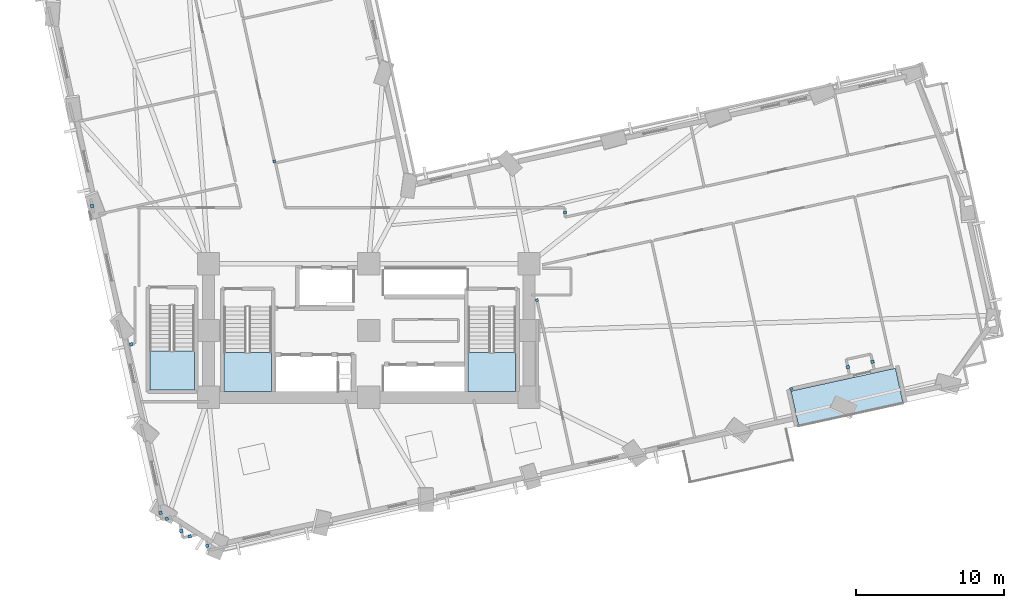
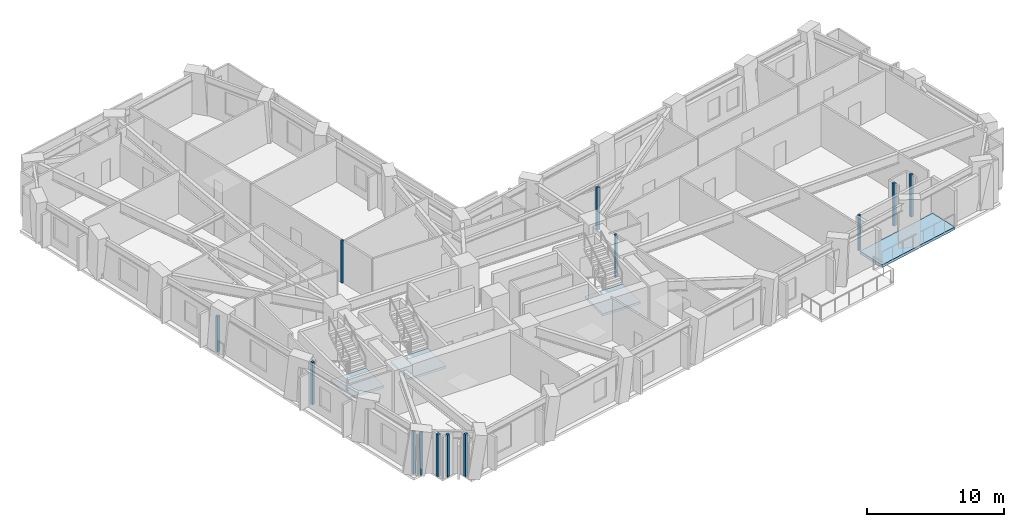
# One storey, part 3 of 14: 13 plates, 4 slabs, 3 elements without a shape of their own.
"""IFC4 building model written with IfcOpenShell, lengths in metres."""

from ifc_helpers import new_model, si_unit, direction, frame, origin, origin_2d, place, context, subcontext, project, spatial, polyline, rectangle, outline, extrude, material, layer, layer_set, type_object, element, aggregate, save


model = new_model("IFC4")

# Units and contexts
model_context = context("Model", 3, precision=1e-05, world=origin(), true_north=direction((0.0, 1.0)))
body_context = subcontext(model_context, "Body", "Model", "MODEL_VIEW")
ifc_project = project(units=[si_unit("LENGTHUNIT", "METRE"), si_unit("AREAUNIT", "SQUARE_METRE"), si_unit("VOLUMEUNIT", "CUBIC_METRE"), si_unit("PLANEANGLEUNIT", "RADIAN"), si_unit("MASSUNIT", "GRAM", prefix="KILO")], contexts=[model_context])

# Site, building, storey
site_placement = place(None, origin())
site = spatial("IfcSite", under=ifc_project, at=site_placement, CompositionType="ELEMENT")
building_placement = place(site_placement, origin())
building = spatial("IfcBuilding", under=site, at=building_placement, Name="Gaonmaruhae Medical Tower", CompositionType="ELEMENT")
storey_placement = place(building_placement, frame((0.0, 0.0, 75.0)))
storey = spatial("IfcBuildingStorey", under=building, at=storey_placement, Name="L17", CompositionType="ELEMENT", Elevation=75.0)

# Plates
ifc_material_1 = material(Name="Anodised aluminium 6063-T6", Category="aluminium")
ifc_layer_1 = layer(ifc_material_1, 0.011962890625)
ifc_layer_set_1 = layer_set([ifc_layer_1], Name="Anodised aluminium 6063-T6")
plate_type = type_object("IfcPlateType", Name="PP-01 Interior Partition Corner Stiffener Plate", PredefinedType="SHEET", material=ifc_layer_set_1)
plate_1_placement = place(storey_placement, frame((53.26318359375, 8.365234375, 0.0), z_axis=(0.0, 0.0, 1.0), x_axis=(-0.976859298345, -0.213882938162, 0.0)))
element("IfcPlate", 1, at=plate_1_placement, inside=storey, type_object=plate_type, Name="L17 Partition End Jamb Post Plate PLT-L17-ENDP-TERB-1", PredefinedType="SHEET", context=body_context, shape_type="SweptSolid", body=[
    extrude(rectangle(XDim=0.179931640625, YDim=0.179931640625, at=origin_2d()), origin(), (0.0, 0.0, 1.0), 3.1650390625),
])
for number, where, z_axis, x_axis, name in (
    (2, (18.43212890625, 23.7109375, 0.0), (0.0, 0.0, 1.0), (-0.213848839209, 0.976866763673, 0.0), "L17 Partition End Jamb Post Plate PLT-L17-ENDP-PW080-0"),
    (3, (36.1328125, 14.35400390625, 0.0), (0.0, 0.0, 1.0), (0.213917036853, -0.976851831827, 0.0), "L17 Partition End Jamb Post Plate PLT-L17-ENDP-PW018-0"),
):
    element("IfcPlate", number, at=place(storey_placement, frame(where, z_axis=z_axis, x_axis=x_axis)), inside=storey, type_object=plate_type, Name=name, PredefinedType="SHEET", context=body_context, shape_type="SweptSolid", body=[
        extrude(rectangle(XDim=0.179931640625, YDim=0.179931640625, at=origin_2d()), origin(), (0.0, 0.0, 1.0), 3.780029296875),
    ])
for number, where, z_axis, x_axis, name in (
    (4, (13.91845703125, -2.195068359375, 0.0), (0.0, 0.0, 1.0), (-0.214445533221, 0.976735948597, 0.0), "L17 Partition Corner Stiffener Plate PLT-L17-JGP-PW008"),
    (5, (12.737548828125, -1.572509765625, 0.0), (0.0, 0.0, 1.0), (-0.976892882947, -0.213729490824, 0.0), "L17 Partition Corner Stiffener Plate PLT-L17-JGP-PW009"),
    (6, (12.16650390625, -1.20654296875, 0.0), (0.0, 0.0, 1.0), (-0.213729490824, 0.976892882947, 0.0), "L17 Partition Corner Stiffener Plate PLT-L17-JGP-PW010"),
    (7, (11.18603515625, -0.37646484375, 0.0), (0.0, 0.0, 1.0), (-0.976735948597, -0.214445533221, 0.0), "L17 Partition Corner Stiffener Plate PLT-L17-JGP-PW011"),
    (8, (10.771484375, 0.02392578125, 0.0), (0.0, 0.0, 1.0), (-0.21350783536, 0.976941351484, 0.0), "L17 Partition Corner Stiffener Plate PLT-L17-JGP-PW012"),
    (9, (58.741943359375, 10.201904296875, 0.0), (0.0, 0.0, 1.0), (-0.214326200813, 0.976762140772, 0.0), "L17 Partition Corner Stiffener Plate PLT-L17-JGP-PW032"),
    (10, (57.0810546875, 9.83837890625, 0.0), (0.0, 0.0, 1.0), (0.214121623529, -0.976807007723, 0.0), "L17 Partition Corner Stiffener Plate PLT-L17-JGP-PW034"),
    (11, (8.79443359375, 11.368896484375, 0.0), (0.0, 0.0, 1.0), (-0.977067877568, -0.212928069134, 0.0), "L17 Partition Corner Stiffener Plate PLT-L17-JGP-PW043"),
):
    element("IfcPlate", number, at=place(storey_placement, frame(where, z_axis=z_axis, x_axis=x_axis)), inside=storey, type_object=plate_type, Name=name, PredefinedType="SHEET", context=body_context, shape_type="SweptSolid", body=[
        extrude(rectangle(XDim=0.219970703125, YDim=0.219970703125, at=origin_2d()), origin(), (0.0, 0.0, 1.0), 3.780029296875),
    ])
plate_2_placement = place(storey_placement, frame((6.1630859375, 20.694580078125, 0.0), z_axis=(0.0, 0.0, 1.0), x_axis=(-0.213797690292, 0.976877959433, 0.0)))
element("IfcPlate", 12, at=plate_2_placement, inside=storey, type_object=plate_type, Name="L17 Partition Corner Stiffener Plate PLT-L17-JGP-PW050", PredefinedType="SHEET", context=body_context, shape_type="SweptSolid", body=[
    extrude(rectangle(XDim=0.219970703125, YDim=0.219970703125, at=origin_2d()), origin(), (0.0, 0.0, 1.0), 3.1650390625),
])
plate_3_placement = place(storey_placement, frame((38.030029296875, 20.2490234375, 0.0), z_axis=(0.0, 0.0, 1.0), x_axis=(0.0, 1.0, 0.0)))
element("IfcPlate", 13, at=plate_3_placement, inside=storey, type_object=plate_type, Name="L17 Partition Corner Stiffener Plate PLT-L17-JGP-PW069", PredefinedType="SHEET", context=body_context, shape_type="SweptSolid", body=[
    extrude(rectangle(XDim=0.219970703125, YDim=0.219970703125, at=origin_2d()), origin(), (0.0, 0.0, 1.0), 3.780029296875),
])

# Stair, slab
ifc_material_2 = material(Name="Concrete C40/50", Category="concrete")
stair_type_1 = type_object("IfcStairType", Name="ST-T1 Primary Core Escape Dogleg Stair", PredefinedType="TWO_QUARTER_TURN_STAIR", material=ifc_material_2)
stair_1_placement = place(storey_placement, origin())
stair_1 = element("IfcStair", 14, at=stair_1_placement, inside=storey, type_object=stair_type_1, Name="L17 Protected Escape Stair ST-01", PredefinedType="TWO_QUARTER_TURN_STAIR")
ifc_layer_2 = layer(ifc_material_2, 0.199951171875)
ifc_layer_set_2 = layer_set([ifc_layer_2], Name="Concrete C40/50")
slab_type_1 = type_object("IfcSlabType", Name="SL-200 Stair & Ramp Intermediate Concrete Landing", PredefinedType="LANDING", material=ifc_layer_set_2)
slab_1_placement = place(storey_placement, frame((0.0, 0.0, 1.800048828125)))
slab_1 = element("IfcSlab", 15, at=slab_1_placement, type_object=slab_type_1, Name="ST-01 landing 1", PredefinedType="LANDING", context=body_context, shape_type="SweptSolid", body=[
    extrude(outline(polyline([(15.050048828125, 10.820068359375), (15.050048828125, 8.2041015625), (18.25, 8.2041015625), (18.25, 10.820068359375), (15.050048828125, 10.820068359375)])), origin(), (0.0, 0.0, 1.0), 0.199951171875),
])
aggregate(stair_1, [slab_1])

stair_2_placement = place(storey_placement, origin())
stair_2 = element("IfcStair", 16, at=stair_2_placement, inside=storey, type_object=stair_type_1, Name="L17 Protected Escape Stair ST-02", PredefinedType="TWO_QUARTER_TURN_STAIR")
slab_2_placement = place(storey_placement, frame((0.0, 0.0, 1.800048828125)))
slab_2 = element("IfcSlab", 17, at=slab_2_placement, type_object=slab_type_1, Name="ST-02 landing 1", PredefinedType="LANDING", context=body_context, shape_type="SweptSolid", body=[
    extrude(outline(polyline([(31.5, 10.820068359375), (31.5, 8.2041015625), (34.699951171875, 8.2041015625), (34.699951171875, 10.820068359375), (31.5, 10.820068359375)])), origin(), (0.0, 0.0, 1.0), 0.199951171875),
])
aggregate(stair_2, [slab_2])

stair_type_2 = type_object("IfcStairType", Name="ST-T2 Zone 1 Escape Dogleg Stair", PredefinedType="TWO_QUARTER_TURN_STAIR", material=ifc_material_2)
stair_3_placement = place(storey_placement, origin())
stair_3 = element("IfcStair", 18, at=stair_3_placement, inside=storey, type_object=stair_type_2, Name="L17 Protected Escape Stair ST-03", PredefinedType="TWO_QUARTER_TURN_STAIR")
slab_3_placement = place(storey_placement, frame((0.0, 0.0, 1.800048828125)))
slab_3 = element("IfcSlab", 19, at=slab_3_placement, type_object=slab_type_1, Name="ST-03 landing 1", PredefinedType="LANDING", context=body_context, shape_type="SweptSolid", body=[
    extrude(outline(polyline([(10.050048828125, 10.919921875), (10.050048828125, 8.300048828125), (13.050048828125, 8.300048828125), (13.050048828125, 10.919921875), (10.050048828125, 10.919921875)])), origin(), (0.0, 0.0, 1.0), 0.199951171875),
])
aggregate(stair_3, [slab_3])

# Slab
ifc_layer_3 = layer(ifc_material_2, 0.239990234375)
ifc_layer_set_3 = layer_set([ifc_layer_3], Name="Concrete C40/50")
slab_type_2 = type_object("IfcSlabType", Name="TS-240 Sky Garden & Recovery Terrace Slab", PredefinedType="FLOOR", material=ifc_layer_set_3)
slab_4_placement = place(storey_placement, frame((0.0, 0.0, -0.239990234375)))
element("IfcSlab", 20, at=slab_4_placement, inside=storey, type_object=slab_type_2, Name="L17 Outdoor Recovery Terrace Slab", PredefinedType="FLOOR", context=body_context, shape_type="SweptSolid", body=[
    extrude(outline(polyline([(53.767333984375, 5.87548828125), (60.80078125, 7.41552734375), (60.287353515625, 9.760009765625), (53.25390625, 8.219970703125), (53.767333984375, 5.87548828125)])), origin(), (0.0, 0.0, 1.0), 0.239990234375),
])

save(model, "model.ifc")
